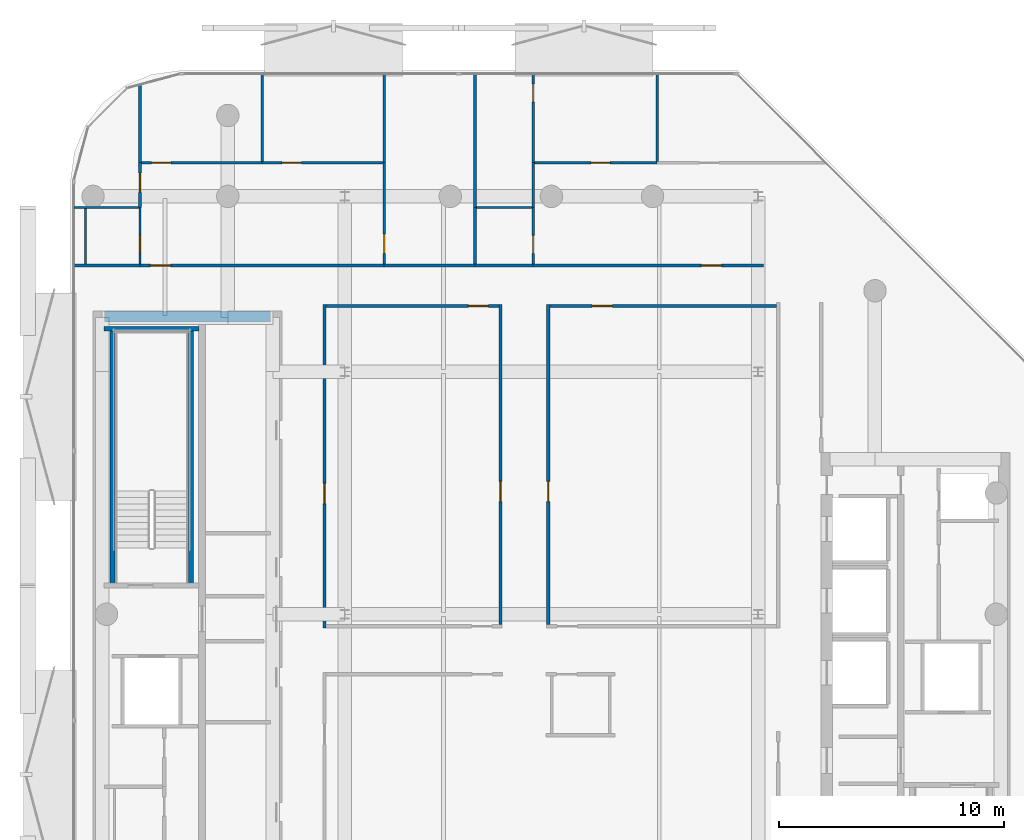
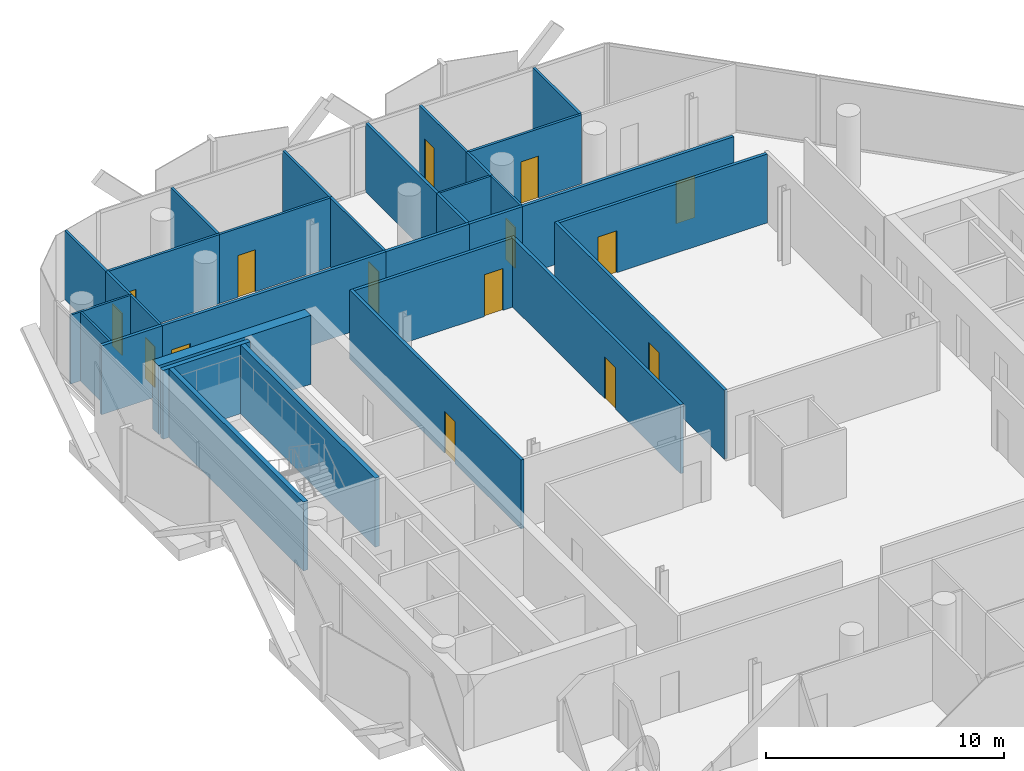
# One storey, part 7 of 16: 32 walls, 15 doors, 15 openings.
"""IFC4 building model written with IfcOpenShell, lengths in metres."""

from ifc_helpers import new_model, si_unit, direction, frame, frame_2d, origin, place, context, subcontext, project, spatial, rectangle, extrude, material, layer, layer_set, type_object, element, fill, save


model = new_model("IFC4")

# Units and contexts
model_context = context("Model", 3, precision=1e-05, world=origin(), true_north=direction((0.0, 1.0)))
body_context = subcontext(model_context, "Body", "Model", "MODEL_VIEW")
ifc_project = project(units=[si_unit("LENGTHUNIT", "METRE"), si_unit("AREAUNIT", "SQUARE_METRE"), si_unit("VOLUMEUNIT", "CUBIC_METRE"), si_unit("PLANEANGLEUNIT", "RADIAN"), si_unit("MASSUNIT", "GRAM", prefix="KILO")], contexts=[model_context])

# Site, building, storey
site_placement = place(None, origin())
site = spatial("IfcSite", under=ifc_project, at=site_placement, CompositionType="ELEMENT")
building_placement = place(site_placement, origin())
building = spatial("IfcBuilding", under=site, at=building_placement, Name="Khairoan Windgate Tower", CompositionType="ELEMENT")
storey_placement = place(building_placement, frame((0.0, 0.0, 296.60009765625)))
storey = spatial("IfcBuildingStorey", under=building, at=storey_placement, Name="L71", CompositionType="ELEMENT", Elevation=296.60009765625)

# Wall
ifc_material_1 = material(Name="Moisture-Resistant Gypsum Partition", Category="gypsum")
ifc_layer_1 = layer(ifc_material_1, 0.10009765625, Name="Moisture-Resistant Gypsum Partition")
ifc_layer_set_1 = layer_set([ifc_layer_1], Name="Moisture-Resistant Gypsum Partition")
wall_type_1 = type_object("IfcWallType", Name="Bathroom Wet-Area Partition Wall", PredefinedType="PARTITIONING", material=ifc_layer_set_1)
wall_1_placement = place(storey_placement, frame((-21.2548828125, 18.10009765625, 0.0), z_axis=(0.0, 0.0, 1.0), x_axis=(1.0, 0.0, 0.0)))
element("IfcWall", 1, at=wall_1_placement, inside=storey, type_object=wall_type_1, Name="L71 Interior Partition 035", PredefinedType="PARTITIONING", context=body_context, shape_type="SweptSolid", body=[
    extrude(rectangle(XDim=2.894775390625, YDim=0.10009765625, at=frame_2d((1.447265625, 0.0))), origin(), (0.0, 0.0, 1.0), 3.539794921875),
])

# Wall, opening, door
wall_2_placement = place(storey_placement, frame((-18.31005859375, 15.60009765625, 0.0), z_axis=(0.0, 0.0, 1.0), x_axis=(0.0, 1.0, 0.0)))
wall_2 = element("IfcWall", 2, at=wall_2_placement, inside=storey, type_object=wall_type_1, Name="L71 Interior Partition 036", PredefinedType="PARTITIONING", context=body_context, shape_type="SweptSolid", body=[
    extrude(rectangle(XDim=2.5, YDim=0.10009765625, at=frame_2d((1.25, 0.0))), origin(), (0.0, 0.0, 1.0), 3.539794921875),
])
opening_1_placement = place(wall_2_placement, frame((0.4599609375, 0.0, 0.0)))
opening_1 = element("IfcOpeningElement", 3, at=opening_1_placement, cuts=wall_2, Name="Opening ID-BTH", PredefinedType="OPENING", context=body_context, shape_type="SweptSolid", body=[
    extrude(rectangle(XDim=0.800048828125, YDim=2.10009765625, at=frame_2d((0.39990234375, 1.050048828125))), frame((0.0, 0.06005859375, 0.0), z_axis=(0.0, -1.0, 0.0), x_axis=(1.0, 0.0, 0.0)), (0.0, 0.0, 1.0), 0.1201171875),
])
ifc_material_2 = material(Name="Teak Veneer Timber Leaf", Category="wood")
door_type_1 = type_object("IfcDoorType", Name="Internal Bathroom Door ID-BTH 800x2100", OperationType="NOTDEFINED", PredefinedType="DOOR", material=ifc_material_2)
door_1_placement = place(opening_1_placement, origin())
door_1 = element("IfcDoor", 4, at=door_1_placement, inside=storey, type_object=door_type_1, Name="L71 L71-32-L71-34 Door", OperationType="SINGLE_SWING_LEFT", OverallHeight=2.10009765625, OverallWidth=0.800048828125, PredefinedType="DOOR", context=body_context, shape_type="SweptSolid", body=[
    extrude(rectangle(XDim=0.800048828125, YDim=2.10009765625, at=frame_2d((0.39990234375, 1.050048828125))), frame((0.0, 0.02490234375, 0.0), z_axis=(0.0, -1.0, 0.0), x_axis=(1.0, 0.0, 0.0)), (0.0, 0.0, 1.0), 0.050048828125),
])
fill(opening_1, door_1)

# Wall
wall_3_placement = place(storey_placement, frame((-3.330078125, 18.10009765625, 0.0), z_axis=(0.0, 0.0, 1.0), x_axis=(1.0, 0.0, 0.0)))
element("IfcWall", 5, at=wall_3_placement, inside=storey, type_object=wall_type_1, Name="L71 Interior Partition 046", PredefinedType="PARTITIONING", context=body_context, shape_type="SweptSolid", body=[
    extrude(rectangle(XDim=2.469970703125, YDim=0.10009765625, at=frame_2d((1.23486328125, 0.0))), origin(), (0.0, 0.0, 1.0), 3.539794921875),
])

# Wall, opening, door
wall_4_placement = place(storey_placement, frame((-0.81005859375, 15.60009765625, 0.0), z_axis=(0.0, 0.0, 1.0), x_axis=(0.0, 1.0, 0.0)))
wall_4 = element("IfcWall", 6, at=wall_4_placement, inside=storey, type_object=wall_type_1, Name="L71 Interior Partition 047", PredefinedType="PARTITIONING", context=body_context, shape_type="SweptSolid", body=[
    extrude(rectangle(XDim=2.5, YDim=0.10009765625, at=frame_2d((1.25, 0.0))), origin(), (0.0, 0.0, 1.0), 3.539794921875),
])
opening_2_placement = place(wall_4_placement, frame((0.4599609375, 0.0, 0.0)))
opening_2 = element("IfcOpeningElement", 7, at=opening_2_placement, cuts=wall_4, Name="Opening ID-BTH", PredefinedType="OPENING", context=body_context, shape_type="SweptSolid", body=[
    extrude(rectangle(XDim=0.800048828125, YDim=2.10009765625, at=frame_2d((0.39990234375, 1.050048828125))), frame((0.0, 0.06005859375, 0.0), z_axis=(0.0, -1.0, 0.0), x_axis=(1.0, 0.0, 0.0)), (0.0, 0.0, 1.0), 0.1201171875),
])
door_2_placement = place(opening_2_placement, origin())
door_2 = element("IfcDoor", 8, at=door_2_placement, inside=storey, type_object=door_type_1, Name="L71 L71-38-L71-40 Door", OperationType="SINGLE_SWING_RIGHT", OverallHeight=2.10009765625, OverallWidth=0.800048828125, PredefinedType="DOOR", context=body_context, shape_type="SweptSolid", body=[
    extrude(rectangle(XDim=0.800048828125, YDim=2.10009765625, at=frame_2d((0.39990234375, 1.050048828125))), frame((0.0, 0.02490234375, 0.0), z_axis=(0.0, -1.0, 0.0), x_axis=(1.0, 0.0, 0.0)), (0.0, 0.0, 1.0), 0.050048828125),
])
fill(opening_2, door_2)

# Walls
wall_5_placement = place(storey_placement, frame((-20.739990234375, 15.60009765625, 0.0), z_axis=(0.0, 0.0, 1.0), x_axis=(0.0, 1.0, 0.0)))
element("IfcWall", 9, at=wall_5_placement, inside=storey, type_object=wall_type_1, Name="L71 Wet Room Side Wall 073", PredefinedType="PARTITIONING", context=body_context, shape_type="SweptSolid", body=[
    extrude(rectangle(XDim=2.449951171875, YDim=0.10009765625, at=frame_2d((1.22509765625, 0.0))), origin(), (0.0, 0.0, 1.0), 3.539794921875),
])
ifc_material_3 = material(Name="Acoustic Fire-Rated Gypsum Partition", Category="gypsum")
ifc_layer_2 = layer(ifc_material_3, 0.139892578125, Name="Acoustic Fire-Rated Gypsum Partition")
ifc_layer_set_2 = layer_set([ifc_layer_2], Name="Acoustic Fire-Rated Gypsum Partition")
wall_type_2 = type_object("IfcWallType", Name="Inter-Tenancy Compartment Wall", PredefinedType="PARTITIONING", material=ifc_layer_set_2)
wall_6_placement = place(storey_placement, frame((-3.39990234375, 15.60009765625, 0.0), z_axis=(0.0, 0.0, 1.0), x_axis=(0.0, 1.0, 0.0)))
element("IfcWall", 10, at=wall_6_placement, inside=storey, type_object=wall_type_2, Name="L71 Interior Partition 043", PredefinedType="PARTITIONING", context=body_context, shape_type="SweptSolid", body=[
    extrude(rectangle(XDim=2.5, YDim=0.139892578125, at=frame_2d((1.25, 0.0))), origin(), (0.0, 0.0, 1.0), 3.539794921875),
])
wall_7_placement = place(storey_placement, frame((-3.39990234375, 18.10009765625, 0.0), z_axis=(0.0, 0.0, 1.0), x_axis=(0.0, 1.0, 0.0)))
element("IfcWall", 11, at=wall_7_placement, inside=storey, type_object=wall_type_2, Name="L71 Interior Partition 044", PredefinedType="PARTITIONING", context=body_context, shape_type="SweptSolid", body=[
    extrude(rectangle(XDim=5.954833984375, YDim=0.139892578125, at=frame_2d((2.9775390625, 0.0))), origin(), (0.0, 0.0, 1.0), 3.539794921875),
])

# Wall, opening, door
ifc_material_4 = material(Name="Gypsum Stud Partition", Category="gypsum")
ifc_layer_3 = layer(ifc_material_4, 0.1201171875, Name="Gypsum Stud Partition")
ifc_layer_set_3 = layer_set([ifc_layer_3], Name="Gypsum Stud Partition")
wall_type_3 = type_object("IfcWallType", Name="Internal Room Partition Wall", PredefinedType="PARTITIONING", material=ifc_layer_set_3)
wall_8_placement = place(storey_placement, frame((-18.31005859375, 18.10009765625, 0.0), z_axis=(0.0, 0.0, 1.0), x_axis=(0.0, 1.0, 0.0)))
wall_8 = element("IfcWall", 12, at=wall_8_placement, inside=storey, type_object=wall_type_3, Name="L71 Interior Partition 037", PredefinedType="PARTITIONING", context=body_context, shape_type="SweptSolid", body=[
    extrude(rectangle(XDim=2.0, YDim=0.1201171875, at=frame_2d((1.0, 0.0))), origin(), (0.0, 0.0, 1.0), 3.539794921875),
])
opening_3_placement = place(wall_8_placement, frame((0.679931640625, 0.0, 0.0)))
opening_3 = element("IfcOpeningElement", 13, at=opening_3_placement, cuts=wall_8, Name="Opening ID-RM", PredefinedType="OPENING", context=body_context, shape_type="SweptSolid", body=[
    extrude(rectangle(XDim=0.860107421875, YDim=2.14990234375, at=frame_2d((0.43017578125, 1.074951171875))), frame((0.0, 0.070068359375, 0.0), z_axis=(0.0, -1.0, 0.0), x_axis=(1.0, 0.0, 0.0)), (0.0, 0.0, 1.0), 0.14013671875),
])
ifc_material_5 = material(Name="Teak Veneer Timber Leaf", Category="wood")
door_type_2 = type_object("IfcDoorType", Name="Internal Bedroom and Office Door ID-RM 860x2150", OperationType="NOTDEFINED", PredefinedType="DOOR", material=ifc_material_5)
door_3_placement = place(opening_3_placement, origin())
door_3 = element("IfcDoor", 14, at=door_3_placement, inside=storey, type_object=door_type_2, Name="L71 L71-33-L71-34 Door", OperationType="SINGLE_SWING_RIGHT", OverallHeight=2.14990234375, OverallWidth=0.860107421875, PredefinedType="DOOR", context=body_context, shape_type="SweptSolid", body=[
    extrude(rectangle(XDim=0.860107421875, YDim=2.14990234375, at=frame_2d((0.43017578125, 1.074951171875))), frame((0.0, 0.02490234375, 0.0), z_axis=(0.0, -1.0, 0.0), x_axis=(1.0, 0.0, 0.0)), (0.0, 0.0, 1.0), 0.050048828125),
])
fill(opening_3, door_3)

# Wall
wall_9_placement = place(storey_placement, frame((-18.31005859375, 20.10009765625, 0.0), z_axis=(0.0, 0.0, 1.0), x_axis=(0.0, 1.0, 0.0)))
element("IfcWall", 15, at=wall_9_placement, inside=storey, type_object=wall_type_3, Name="L71 Interior Partition 038", PredefinedType="PARTITIONING", context=body_context, shape_type="SweptSolid", body=[
    extrude(rectangle(XDim=3.468505859375, YDim=0.1201171875, at=frame_2d((1.734375, 0.0))), origin(), (0.0, 0.0, 1.0), 3.539794921875),
])

# Wall, opening, door
wall_10_placement = place(storey_placement, frame((-7.43994140625, 15.60009765625, 0.0), z_axis=(0.0, 0.0, 1.0), x_axis=(0.0, 1.0, 0.0)))
wall_10 = element("IfcWall", 16, at=wall_10_placement, inside=storey, type_object=wall_type_3, Name="L71 Interior Partition 039", PredefinedType="PARTITIONING", context=body_context, shape_type="SweptSolid", body=[
    extrude(rectangle(XDim=4.5, YDim=0.1201171875, at=frame_2d((2.25, 0.0))), origin(), (0.0, 0.0, 1.0), 3.539794921875),
])
opening_4_placement = place(wall_10_placement, frame((0.4599609375, 0.0, 0.0)))
opening_4 = element("IfcOpeningElement", 17, at=opening_4_placement, cuts=wall_10, Name="Opening ID-RM", PredefinedType="OPENING", context=body_context, shape_type="SweptSolid", body=[
    extrude(rectangle(XDim=0.860107421875, YDim=2.14990234375, at=frame_2d((0.43017578125, 1.074951171875))), frame((0.0, 0.070068359375, 0.0), z_axis=(0.0, -1.0, 0.0), x_axis=(1.0, 0.0, 0.0)), (0.0, 0.0, 1.0), 0.14013671875),
])
door_4_placement = place(opening_4_placement, origin())
door_4 = element("IfcDoor", 18, at=door_4_placement, inside=storey, type_object=door_type_2, Name="L71 L71-34-L71-35 Door", OperationType="SINGLE_SWING_LEFT", OverallHeight=2.14990234375, OverallWidth=0.860107421875, PredefinedType="DOOR", context=body_context, shape_type="SweptSolid", body=[
    extrude(rectangle(XDim=0.860107421875, YDim=2.14990234375, at=frame_2d((0.43017578125, 1.074951171875))), frame((0.0, 0.02490234375, 0.0), z_axis=(0.0, -1.0, 0.0), x_axis=(1.0, 0.0, 0.0)), (0.0, 0.0, 1.0), 0.050048828125),
])
fill(opening_4, door_4)

wall_11_placement = place(storey_placement, frame((-18.25, 20.10009765625, 0.0), z_axis=(0.0, 0.0, 1.0), x_axis=(1.0, 0.0, 0.0)))
wall_11 = element("IfcWall", 19, at=wall_11_placement, inside=storey, type_object=wall_type_3, Name="L71 Interior Partition 040", PredefinedType="PARTITIONING", context=body_context, shape_type="SweptSolid", body=[
    extrude(rectangle(XDim=5.375, YDim=0.1201171875, at=frame_2d((2.6875, 0.0))), origin(), (0.0, 0.0, 1.0), 3.539794921875),
])
opening_5_placement = place(wall_11_placement, frame((0.4599609375, 0.0, 0.0)))
opening_5 = element("IfcOpeningElement", 20, at=opening_5_placement, cuts=wall_11, Name="Opening ID-RM", PredefinedType="OPENING", context=body_context, shape_type="SweptSolid", body=[
    extrude(rectangle(XDim=0.860107421875, YDim=2.14990234375, at=frame_2d((0.43017578125, 1.074951171875))), frame((0.0, 0.070068359375, 0.0), z_axis=(0.0, -1.0, 0.0), x_axis=(1.0, 0.0, 0.0)), (0.0, 0.0, 1.0), 0.14013671875),
])
door_5_placement = place(opening_5_placement, origin())
door_5 = element("IfcDoor", 21, at=door_5_placement, inside=storey, type_object=door_type_2, Name="L71 L71-34-L71-36 Door", OperationType="SINGLE_SWING_RIGHT", OverallHeight=2.14990234375, OverallWidth=0.860107421875, PredefinedType="DOOR", context=body_context, shape_type="SweptSolid", body=[
    extrude(rectangle(XDim=0.860107421875, YDim=2.14990234375, at=frame_2d((0.43017578125, 1.074951171875))), frame((0.0, 0.02490234375, 0.0), z_axis=(0.0, -1.0, 0.0), x_axis=(1.0, 0.0, 0.0)), (0.0, 0.0, 1.0), 0.050048828125),
])
fill(opening_5, door_5)

wall_12_placement = place(storey_placement, frame((-12.875, 20.10009765625, 0.0), z_axis=(0.0, 0.0, 1.0), x_axis=(1.0, 0.0, 0.0)))
wall_12 = element("IfcWall", 22, at=wall_12_placement, inside=storey, type_object=wall_type_3, Name="L71 Interior Partition 041", PredefinedType="PARTITIONING", context=body_context, shape_type="SweptSolid", body=[
    extrude(rectangle(XDim=5.375, YDim=0.1201171875, at=frame_2d((2.6875, 0.0))), origin(), (0.0, 0.0, 1.0), 3.539794921875),
])
opening_6_placement = place(wall_12_placement, frame((0.8828125, 0.0, 0.0)))
opening_6 = element("IfcOpeningElement", 23, at=opening_6_placement, cuts=wall_12, Name="Opening ID-RM", PredefinedType="OPENING", context=body_context, shape_type="SweptSolid", body=[
    extrude(rectangle(XDim=0.860107421875, YDim=2.14990234375, at=frame_2d((0.43017578125, 1.074951171875))), frame((0.0, 0.070068359375, 0.0), z_axis=(0.0, -1.0, 0.0), x_axis=(1.0, 0.0, 0.0)), (0.0, 0.0, 1.0), 0.14013671875),
])
door_6_placement = place(opening_6_placement, origin())
door_6 = element("IfcDoor", 24, at=door_6_placement, inside=storey, type_object=door_type_2, Name="L71 L71-34-L71-37 Door", OperationType="SINGLE_SWING_LEFT", OverallHeight=2.14990234375, OverallWidth=0.860107421875, PredefinedType="DOOR", context=body_context, shape_type="SweptSolid", body=[
    extrude(rectangle(XDim=0.860107421875, YDim=2.14990234375, at=frame_2d((0.43017578125, 1.074951171875))), frame((0.0, 0.02490234375, 0.0), z_axis=(0.0, -1.0, 0.0), x_axis=(1.0, 0.0, 0.0)), (0.0, 0.0, 1.0), 0.050048828125),
])
fill(opening_6, door_6)

# Walls
wall_13_placement = place(storey_placement, frame((-7.43994140625, 20.10009765625, 0.0), z_axis=(0.0, 0.0, 1.0), x_axis=(0.0, 1.0, 0.0)))
element("IfcWall", 25, at=wall_13_placement, inside=storey, type_object=wall_type_3, Name="L71 Interior Partition 042", PredefinedType="PARTITIONING", context=body_context, shape_type="SweptSolid", body=[
    extrude(rectangle(XDim=3.954833984375, YDim=0.1201171875, at=frame_2d((1.9775390625, 0.0))), origin(), (0.0, 0.0, 1.0), 3.539794921875),
])
wall_14_placement = place(storey_placement, frame((-12.875, 20.159912109375, 0.0), z_axis=(0.0, 0.0, 1.0), x_axis=(0.0, 1.0, 0.0)))
element("IfcWall", 26, at=wall_14_placement, inside=storey, type_object=wall_type_3, Name="L71 Interior Partition 045", PredefinedType="PARTITIONING", context=body_context, shape_type="SweptSolid", body=[
    extrude(rectangle(XDim=3.89501953125, YDim=0.1201171875, at=frame_2d((1.947509765625, 0.0))), origin(), (0.0, 0.0, 1.0), 3.539794921875),
])
wall_15_placement = place(storey_placement, frame((-0.81005859375, 18.10009765625, 0.0), z_axis=(0.0, 0.0, 1.0), x_axis=(0.0, 1.0, 0.0)))
element("IfcWall", 27, at=wall_15_placement, inside=storey, type_object=wall_type_3, Name="L71 Interior Partition 048", PredefinedType="PARTITIONING", context=body_context, shape_type="SweptSolid", body=[
    extrude(rectangle(XDim=2.0, YDim=0.1201171875, at=frame_2d((1.0, 0.0))), origin(), (0.0, 0.0, 1.0), 3.539794921875),
])

# Wall, opening, door
wall_16_placement = place(storey_placement, frame((-0.81005859375, 20.10009765625, 0.0), z_axis=(0.0, 0.0, 1.0), x_axis=(0.0, 1.0, 0.0)))
wall_16 = element("IfcWall", 28, at=wall_16_placement, inside=storey, type_object=wall_type_3, Name="L71 Interior Partition 049", PredefinedType="PARTITIONING", context=body_context, shape_type="SweptSolid", body=[
    extrude(rectangle(XDim=3.954833984375, YDim=0.1201171875, at=frame_2d((1.9775390625, 0.0))), origin(), (0.0, 0.0, 1.0), 3.539794921875),
])
opening_7_placement = place(wall_16_placement, frame((2.695068359375, 0.0, 0.0)))
opening_7 = element("IfcOpeningElement", 29, at=opening_7_placement, cuts=wall_16, Name="Opening ID-BTH", PredefinedType="OPENING", context=body_context, shape_type="SweptSolid", body=[
    extrude(rectangle(XDim=0.800048828125, YDim=2.10009765625, at=frame_2d((0.39990234375, 1.050048828125))), frame((0.0, 0.070068359375, 0.0), z_axis=(0.0, -1.0, 0.0), x_axis=(1.0, 0.0, 0.0)), (0.0, 0.0, 1.0), 0.14013671875),
])
door_7_placement = place(opening_7_placement, origin())
door_7 = element("IfcDoor", 30, at=door_7_placement, inside=storey, type_object=door_type_1, Name="L71 L71-39-L71-41 Door", OperationType="SINGLE_SWING_RIGHT", OverallHeight=2.10009765625, OverallWidth=0.800048828125, PredefinedType="DOOR", context=body_context, shape_type="SweptSolid", body=[
    extrude(rectangle(XDim=0.800048828125, YDim=2.10009765625, at=frame_2d((0.39990234375, 1.050048828125))), frame((0.0, 0.02490234375, 0.0), z_axis=(0.0, -1.0, 0.0), x_axis=(1.0, 0.0, 0.0)), (0.0, 0.0, 1.0), 0.050048828125),
])
fill(opening_7, door_7)

wall_17_placement = place(storey_placement, frame((-0.75, 20.10009765625, 0.0), z_axis=(0.0, 0.0, 1.0), x_axis=(1.0, 0.0, 0.0)))
wall_17 = element("IfcWall", 31, at=wall_17_placement, inside=storey, type_object=wall_type_3, Name="L71 Interior Partition 050", PredefinedType="PARTITIONING", context=body_context, shape_type="SweptSolid", body=[
    extrude(rectangle(XDim=5.455078125, YDim=0.1201171875, at=frame_2d((2.7275390625, 0.0))), origin(), (0.0, 0.0, 1.0), 3.539794921875),
])
opening_8_placement = place(wall_17_placement, frame((2.501708984375, 0.0, 0.0)))
opening_8 = element("IfcOpeningElement", 32, at=opening_8_placement, cuts=wall_17, Name="Opening ID-RM", PredefinedType="OPENING", context=body_context, shape_type="SweptSolid", body=[
    extrude(rectangle(XDim=0.860107421875, YDim=2.14990234375, at=frame_2d((0.43017578125, 1.074951171875))), frame((0.0, 0.070068359375, 0.0), z_axis=(0.0, -1.0, 0.0), x_axis=(1.0, 0.0, 0.0)), (0.0, 0.0, 1.0), 0.14013671875),
])
door_8_placement = place(opening_8_placement, origin())
door_8 = element("IfcDoor", 33, at=door_8_placement, inside=storey, type_object=door_type_2, Name="L71 L71-40-L71-41 Door", OperationType="SINGLE_SWING_RIGHT", OverallHeight=2.14990234375, OverallWidth=0.860107421875, PredefinedType="DOOR", context=body_context, shape_type="SweptSolid", body=[
    extrude(rectangle(XDim=0.860107421875, YDim=2.14990234375, at=frame_2d((0.43017578125, 1.074951171875))), frame((0.0, 0.02490234375, 0.0), z_axis=(0.0, -1.0, 0.0), x_axis=(1.0, 0.0, 0.0)), (0.0, 0.0, 1.0), 0.050048828125),
])
fill(opening_8, door_8)

# Wall
wall_18_placement = place(storey_placement, frame((4.705078125, 20.159912109375, 0.0), z_axis=(0.0, 0.0, 1.0), x_axis=(0.0, 1.0, 0.0)))
element("IfcWall", 34, at=wall_18_placement, inside=storey, type_object=wall_type_3, Name="L71 Interior Partition 052", PredefinedType="PARTITIONING", context=body_context, shape_type="SweptSolid", body=[
    extrude(rectangle(XDim=3.89501953125, YDim=0.1201171875, at=frame_2d((1.947509765625, 0.0))), origin(), (0.0, 0.0, 1.0), 3.539794921875),
])

# Wall, opening, door
ifc_material_6 = material(Name="Acoustic Fire-Rated Gypsum Partition", Category="gypsum")
ifc_layer_4 = layer(ifc_material_6, 0.14990234375, Name="Acoustic Fire-Rated Gypsum Partition")
ifc_layer_set_4 = layer_set([ifc_layer_4], Name="Acoustic Fire-Rated Gypsum Partition")
wall_type_4 = type_object("IfcWallType", Name="Rated Corridor Partition Wall", PredefinedType="PARTITIONING", material=ifc_layer_set_4)
wall_19_placement = place(storey_placement, frame((-10.10009765625, -0.610107421875, 0.0), z_axis=(0.0, 0.0, 1.0), x_axis=(0.0, 1.0, 0.0)))
wall_19 = element("IfcWall", 35, at=wall_19_placement, inside=storey, type_object=wall_type_4, Name="L71 Interior Partition 011", PredefinedType="PARTITIONING", context=body_context, shape_type="SweptSolid", body=[
    extrude(rectangle(XDim=14.405029296875, YDim=0.14990234375, at=frame_2d((7.20263671875, 0.0))), origin(), (0.0, 0.0, 1.0), 3.539794921875),
])
opening_9_placement = place(wall_19_placement, frame((5.53466796875, 0.0, 0.0)))
opening_9 = element("IfcOpeningElement", 36, at=opening_9_placement, cuts=wall_19, Name="Opening FD-ENT", PredefinedType="OPENING", context=body_context, shape_type="SweptSolid", body=[
    extrude(rectangle(XDim=0.89990234375, YDim=2.14990234375, at=frame_2d((0.449951171875, 1.074951171875))), frame((0.0, 0.0849609375, 0.0), z_axis=(0.0, -1.0, 0.0), x_axis=(1.0, 0.0, 0.0)), (0.0, 0.0, 1.0), 0.169921875),
])
ifc_material_7 = material(Name="Timber Fire-Rated Core", Category="wood")
door_type_3 = type_object("IfcDoorType", Name="Unit and Office Fire Entrance Door FD-ENT 900x2150", OperationType="NOTDEFINED", PredefinedType="DOOR", material=ifc_material_7)
door_9_placement = place(opening_9_placement, origin())
door_9 = element("IfcDoor", 37, at=door_9_placement, inside=storey, type_object=door_type_3, Name="L71 L71-26-L71-55 Door", OperationType="SINGLE_SWING_RIGHT", OverallHeight=2.14990234375, OverallWidth=0.89990234375, PredefinedType="DOOR", context=body_context, shape_type="SweptSolid", body=[
    extrude(rectangle(XDim=0.89990234375, YDim=2.14990234375, at=frame_2d((0.449951171875, 1.074951171875))), frame((0.0, 0.02490234375, 0.0), z_axis=(0.0, -1.0, 0.0), x_axis=(1.0, 0.0, 0.0)), (0.0, 0.0, 1.0), 0.050048828125),
])
fill(opening_9, door_9)

wall_20_placement = place(storey_placement, frame((-2.264892578125, -0.4599609375, 0.0), z_axis=(0.0, 0.0, 1.0), x_axis=(0.0, 1.0, 0.0)))
wall_20 = element("IfcWall", 38, at=wall_20_placement, inside=storey, type_object=wall_type_4, Name="L71 Interior Partition 020", PredefinedType="PARTITIONING", context=body_context, shape_type="SweptSolid", body=[
    extrude(rectangle(XDim=14.2548828125, YDim=0.14990234375, at=frame_2d((7.12744140625, 0.0))), origin(), (0.0, 0.0, 1.0), 3.539794921875),
])
opening_10_placement = place(wall_20_placement, frame((5.47412109375, 0.0, 0.0)))
opening_10 = element("IfcOpeningElement", 39, at=opening_10_placement, cuts=wall_20, Name="Opening FD-ENT", PredefinedType="OPENING", context=body_context, shape_type="SweptSolid", body=[
    extrude(rectangle(XDim=0.89990234375, YDim=2.14990234375, at=frame_2d((0.449951171875, 1.074951171875))), frame((0.0, 0.0849609375, 0.0), z_axis=(0.0, -1.0, 0.0), x_axis=(1.0, 0.0, 0.0)), (0.0, 0.0, 1.0), 0.169921875),
])
door_10_placement = place(opening_10_placement, origin())
door_10 = element("IfcDoor", 40, at=door_10_placement, inside=storey, type_object=door_type_3, Name="L71 L71-29-L71-55 Door", OperationType="SINGLE_SWING_LEFT", OverallHeight=2.14990234375, OverallWidth=0.89990234375, PredefinedType="DOOR", context=body_context, shape_type="SweptSolid", body=[
    extrude(rectangle(XDim=0.89990234375, YDim=2.14990234375, at=frame_2d((0.449951171875, 1.074951171875))), frame((0.0, 0.02490234375, 0.0), z_axis=(0.0, -1.0, 0.0), x_axis=(1.0, 0.0, 0.0)), (0.0, 0.0, 1.0), 0.050048828125),
])
fill(opening_10, door_10)

wall_21_placement = place(storey_placement, frame((-0.135009765625, -0.4599609375, 0.0), z_axis=(0.0, 0.0, 1.0), x_axis=(0.0, 1.0, 0.0)))
wall_21 = element("IfcWall", 41, at=wall_21_placement, inside=storey, type_object=wall_type_4, Name="L71 Interior Partition 021", PredefinedType="PARTITIONING", context=body_context, shape_type="SweptSolid", body=[
    extrude(rectangle(XDim=14.2548828125, YDim=0.14990234375, at=frame_2d((7.12744140625, 0.0))), origin(), (0.0, 0.0, 1.0), 3.539794921875),
])
opening_11_placement = place(wall_21_placement, frame((5.47412109375, 0.0, 0.0)))
opening_11 = element("IfcOpeningElement", 42, at=opening_11_placement, cuts=wall_21, Name="Opening FD-ENT", PredefinedType="OPENING", context=body_context, shape_type="SweptSolid", body=[
    extrude(rectangle(XDim=0.89990234375, YDim=2.14990234375, at=frame_2d((0.449951171875, 1.074951171875))), frame((0.0, 0.0849609375, 0.0), z_axis=(0.0, -1.0, 0.0), x_axis=(1.0, 0.0, 0.0)), (0.0, 0.0, 1.0), 0.169921875),
])
door_11_placement = place(opening_11_placement, origin())
door_11 = element("IfcDoor", 43, at=door_11_placement, inside=storey, type_object=door_type_3, Name="L71 L71-29-L71-57 Door", OperationType="SINGLE_SWING_RIGHT", OverallHeight=2.14990234375, OverallWidth=0.89990234375, PredefinedType="DOOR", context=body_context, shape_type="SweptSolid", body=[
    extrude(rectangle(XDim=0.89990234375, YDim=2.14990234375, at=frame_2d((0.449951171875, 1.074951171875))), frame((0.0, 0.02490234375, 0.0), z_axis=(0.0, -1.0, 0.0), x_axis=(1.0, 0.0, 0.0)), (0.0, 0.0, 1.0), 0.050048828125),
])
fill(opening_11, door_11)

# Wall
wall_22_placement = place(storey_placement, frame((-21.2548828125, 15.52490234375, 0.0), z_axis=(0.0, 0.0, 1.0), x_axis=(1.0, 0.0, 0.0)))
element("IfcWall", 44, at=wall_22_placement, inside=storey, type_object=wall_type_4, Name="L71 Interior Partition 022", PredefinedType="PARTITIONING", context=body_context, shape_type="SweptSolid", body=[
    extrude(rectangle(XDim=2.94482421875, YDim=0.14990234375, at=frame_2d((1.472412109375, 0.0))), origin(), (0.0, 0.0, 1.0), 3.539794921875),
])

# Wall, opening, door
wall_23_placement = place(storey_placement, frame((-18.31005859375, 15.52490234375, 0.0), z_axis=(0.0, 0.0, 1.0), x_axis=(1.0, 0.0, 0.0)))
wall_23 = element("IfcWall", 45, at=wall_23_placement, inside=storey, type_object=wall_type_4, Name="L71 Interior Partition 023", PredefinedType="PARTITIONING", context=body_context, shape_type="SweptSolid", body=[
    extrude(rectangle(XDim=10.8701171875, YDim=0.14990234375, at=frame_2d((5.43505859375, 0.0))), origin(), (0.0, 0.0, 1.0), 3.539794921875),
])
opening_12_placement = place(wall_23_placement, frame((0.4599609375, 0.0, 0.0)))
opening_12 = element("IfcOpeningElement", 46, at=opening_12_placement, cuts=wall_23, Name="Opening FD-ENT", PredefinedType="OPENING", context=body_context, shape_type="SweptSolid", body=[
    extrude(rectangle(XDim=0.89990234375, YDim=2.14990234375, at=frame_2d((0.449951171875, 1.074951171875))), frame((0.0, 0.0849609375, 0.0), z_axis=(0.0, -1.0, 0.0), x_axis=(1.0, 0.0, 0.0)), (0.0, 0.0, 1.0), 0.169921875),
])
door_12_placement = place(opening_12_placement, origin())
door_12 = element("IfcDoor", 47, at=door_12_placement, inside=storey, type_object=door_type_3, Name="L71 L71-30-L71-34 Door", OperationType="SINGLE_SWING_LEFT", OverallHeight=2.14990234375, OverallWidth=0.89990234375, PredefinedType="DOOR", context=body_context, shape_type="SweptSolid", body=[
    extrude(rectangle(XDim=0.89990234375, YDim=2.14990234375, at=frame_2d((0.449951171875, 1.074951171875))), frame((0.0, 0.02490234375, 0.0), z_axis=(0.0, -1.0, 0.0), x_axis=(1.0, 0.0, 0.0)), (0.0, 0.0, 1.0), 0.050048828125),
])
fill(opening_12, door_12)

# Walls
wall_24_placement = place(storey_placement, frame((-7.43994140625, 15.52490234375, 0.0), z_axis=(0.0, 0.0, 1.0), x_axis=(1.0, 0.0, 0.0)))
element("IfcWall", 48, at=wall_24_placement, inside=storey, type_object=wall_type_4, Name="L71 Interior Partition 024", PredefinedType="PARTITIONING", context=body_context, shape_type="SweptSolid", body=[
    extrude(rectangle(XDim=4.0400390625, YDim=0.14990234375, at=frame_2d((2.02001953125, 0.0))), origin(), (0.0, 0.0, 1.0), 3.539794921875),
])
wall_25_placement = place(storey_placement, frame((-3.39990234375, 15.52490234375, 0.0), z_axis=(0.0, 0.0, 1.0), x_axis=(1.0, 0.0, 0.0)))
element("IfcWall", 49, at=wall_25_placement, inside=storey, type_object=wall_type_4, Name="L71 Interior Partition 025", PredefinedType="PARTITIONING", context=body_context, shape_type="SweptSolid", body=[
    extrude(rectangle(XDim=2.58984375, YDim=0.14990234375, at=frame_2d((1.294921875, 0.0))), origin(), (0.0, 0.0, 1.0), 3.539794921875),
])

# Wall, opening, door
wall_26_placement = place(storey_placement, frame((-0.81005859375, 15.52490234375, 0.0), z_axis=(0.0, 0.0, 1.0), x_axis=(1.0, 0.0, 0.0)))
wall_26 = element("IfcWall", 50, at=wall_26_placement, inside=storey, type_object=wall_type_4, Name="L71 Interior Partition 026", PredefinedType="PARTITIONING", context=body_context, shape_type="SweptSolid", body=[
    extrude(rectangle(XDim=10.25, YDim=0.14990234375, at=frame_2d((5.125, 0.0))), origin(), (0.0, 0.0, 1.0), 3.539794921875),
])
opening_13_placement = place(wall_26_placement, frame((7.485107421875, 0.0, 0.0)))
opening_13 = element("IfcOpeningElement", 51, at=opening_13_placement, cuts=wall_26, Name="Opening FD-ENT", PredefinedType="OPENING", context=body_context, shape_type="SweptSolid", body=[
    extrude(rectangle(XDim=0.89990234375, YDim=2.14990234375, at=frame_2d((0.449951171875, 1.074951171875))), frame((0.0, 0.0849609375, 0.0), z_axis=(0.0, -1.0, 0.0), x_axis=(1.0, 0.0, 0.0)), (0.0, 0.0, 1.0), 0.169921875),
])
door_13_placement = place(opening_13_placement, origin())
door_13 = element("IfcDoor", 52, at=door_13_placement, inside=storey, type_object=door_type_3, Name="L71 L71-30-L71-40 Door", OperationType="SINGLE_SWING_RIGHT", OverallHeight=2.14990234375, OverallWidth=0.89990234375, PredefinedType="DOOR", context=body_context, shape_type="SweptSolid", body=[
    extrude(rectangle(XDim=0.89990234375, YDim=2.14990234375, at=frame_2d((0.449951171875, 1.074951171875))), frame((0.0, 0.02490234375, 0.0), z_axis=(0.0, -1.0, 0.0), x_axis=(1.0, 0.0, 0.0)), (0.0, 0.0, 1.0), 0.050048828125),
])
fill(opening_13, door_13)

wall_27_placement = place(storey_placement, frame((-10.02490234375, 13.719970703125, 0.0), z_axis=(0.0, 0.0, 1.0), x_axis=(1.0, 0.0, 0.0)))
wall_27 = element("IfcWall", 53, at=wall_27_placement, inside=storey, type_object=wall_type_4, Name="L71 Interior Partition 027", PredefinedType="PARTITIONING", context=body_context, shape_type="SweptSolid", body=[
    extrude(rectangle(XDim=7.684814453125, YDim=0.14990234375, at=frame_2d((3.84228515625, 0.0))), origin(), (0.0, 0.0, 1.0), 3.539794921875),
])
opening_14_placement = place(wall_27_placement, frame((6.324951171875, 0.0, 0.0)))
opening_14 = element("IfcOpeningElement", 54, at=opening_14_placement, cuts=wall_27, Name="Opening FD-ENT", PredefinedType="OPENING", context=body_context, shape_type="SweptSolid", body=[
    extrude(rectangle(XDim=0.89990234375, YDim=2.14990234375, at=frame_2d((0.449951171875, 1.074951171875))), frame((0.0, 0.0849609375, 0.0), z_axis=(0.0, -1.0, 0.0), x_axis=(1.0, 0.0, 0.0)), (0.0, 0.0, 1.0), 0.169921875),
])
door_14_placement = place(opening_14_placement, origin())
door_14 = element("IfcDoor", 55, at=door_14_placement, inside=storey, type_object=door_type_3, Name="L71 L71-30-L71-55 Door", OperationType="SINGLE_SWING_LEFT", OverallHeight=2.14990234375, OverallWidth=0.89990234375, PredefinedType="DOOR", context=body_context, shape_type="SweptSolid", body=[
    extrude(rectangle(XDim=0.89990234375, YDim=2.14990234375, at=frame_2d((0.449951171875, 1.074951171875))), frame((0.0, 0.02490234375, 0.0), z_axis=(0.0, -1.0, 0.0), x_axis=(1.0, 0.0, 0.0)), (0.0, 0.0, 1.0), 0.050048828125),
])
fill(opening_14, door_14)

wall_28_placement = place(storey_placement, frame((-0.06005859375, 13.719970703125, 0.0), z_axis=(0.0, 0.0, 1.0), x_axis=(1.0, 0.0, 0.0)))
wall_28 = element("IfcWall", 56, at=wall_28_placement, inside=storey, type_object=wall_type_4, Name="L71 Interior Partition 028", PredefinedType="PARTITIONING", context=body_context, shape_type="SweptSolid", body=[
    extrude(rectangle(XDim=10.0849609375, YDim=0.14990234375, at=frame_2d((5.04248046875, 0.0))), origin(), (0.0, 0.0, 1.0), 3.539794921875),
])
opening_15_placement = place(wall_28_placement, frame((1.874755859375, 0.0, 0.0)))
opening_15 = element("IfcOpeningElement", 57, at=opening_15_placement, cuts=wall_28, Name="Opening FD-ENT", PredefinedType="OPENING", context=body_context, shape_type="SweptSolid", body=[
    extrude(rectangle(XDim=0.89990234375, YDim=2.14990234375, at=frame_2d((0.449951171875, 1.074951171875))), frame((0.0, 0.0849609375, 0.0), z_axis=(0.0, -1.0, 0.0), x_axis=(1.0, 0.0, 0.0)), (0.0, 0.0, 1.0), 0.169921875),
])
door_15_placement = place(opening_15_placement, origin())
door_15 = element("IfcDoor", 58, at=door_15_placement, inside=storey, type_object=door_type_3, Name="L71 L71-30-L71-57 Door", OperationType="SINGLE_SWING_RIGHT", OverallHeight=2.14990234375, OverallWidth=0.89990234375, PredefinedType="DOOR", context=body_context, shape_type="SweptSolid", body=[
    extrude(rectangle(XDim=0.89990234375, YDim=2.14990234375, at=frame_2d((0.449951171875, 1.074951171875))), frame((0.0, 0.02490234375, 0.0), z_axis=(0.0, -1.0, 0.0), x_axis=(1.0, 0.0, 0.0)), (0.0, 0.0, 1.0), 0.050048828125),
])
fill(opening_15, door_15)

# Walls
ifc_material_8 = material(Name="Concrete C50/60", Category="concrete")
ifc_layer_5 = layer(ifc_material_8, 0.5, Name="Concrete C50/60")
ifc_layer_set_5 = layer_set([ifc_layer_5], Name="Concrete C50/60")
wall_type_5 = type_object("IfcWallType", Name="Shear Wall CW-W3 500mm", PredefinedType="SHEAR", material=ifc_layer_set_5)
wall_29_placement = place(storey_placement, frame((-19.89990234375, 13.25, 0.0), z_axis=(0.0, 0.0, 1.0), x_axis=(1.0, 0.0, 0.0)))
element("IfcWall", 59, at=wall_29_placement, inside=storey, type_object=wall_type_5, Name="W Core North Shear Wall L71", PredefinedType="SHEAR", context=body_context, shape_type="SweptSolid", body=[
    extrude(rectangle(XDim=7.39990234375, YDim=0.5, at=frame_2d((3.699951171875, 0.0))), origin(), (0.0, 0.0, 1.0), 3.539794921875),
])
ifc_material_9 = material(Name="Concrete C50/60", Category="concrete")
ifc_layer_6 = layer(ifc_material_9, 0.219970703125, Name="Concrete C50/60")
ifc_layer_set_6 = layer_set([ifc_layer_6], Name="Concrete C50/60")
wall_type_6 = type_object("IfcWallType", Name="Shear Wall SW-ST 220mm", PredefinedType="SHEAR", material=ifc_layer_set_6)
for number, where, z_axis, x_axis, name in (
    (60, (-16.0400390625, 1.2900390625, 0.0), (0.0, 0.0, 1.0), (0.0, 1.0, 0.0), "L71 Stair ST2 East Bearing Wall"),
    (61, (-19.530029296875, 1.2900390625, 0.0), (0.0, 0.0, 1.0), (0.0, 1.0, 0.0), "L71 Stair ST2 West Bearing Wall"),
):
    element("IfcWall", number, at=place(storey_placement, frame(where, z_axis=z_axis, x_axis=x_axis)), inside=storey, type_object=wall_type_6, Name=name, PredefinedType="SHEAR", context=body_context, shape_type="SweptSolid", body=[
        extrude(rectangle(XDim=11.419921875, YDim=0.219970703125, at=frame_2d((5.7099609375, 0.0))), origin(), (0.0, 0.0, 1.0), 3.539794921875),
    ])
wall_30_placement = place(storey_placement, frame((-19.919921875, 12.7099609375, 0.0), z_axis=(0.0, 0.0, 1.0), x_axis=(1.0, 0.0, 0.0)))
element("IfcWall", 62, at=wall_30_placement, inside=storey, type_object=wall_type_6, Name="L71 Stair ST2 North Bearing Wall", PredefinedType="SHEAR", context=body_context, shape_type="SweptSolid", body=[
    extrude(rectangle(XDim=4.239990234375, YDim=0.219970703125, at=frame_2d((2.1201171875, 0.0))), origin(), (0.0, 0.0, 1.0), 3.539794921875),
])

save(model, "model.ifc")
